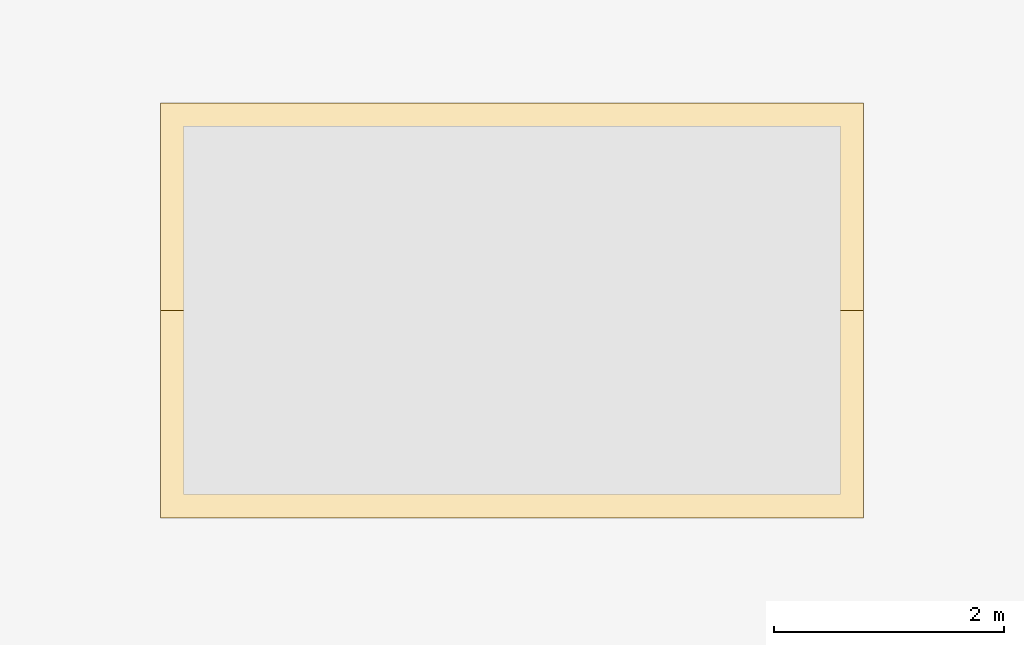
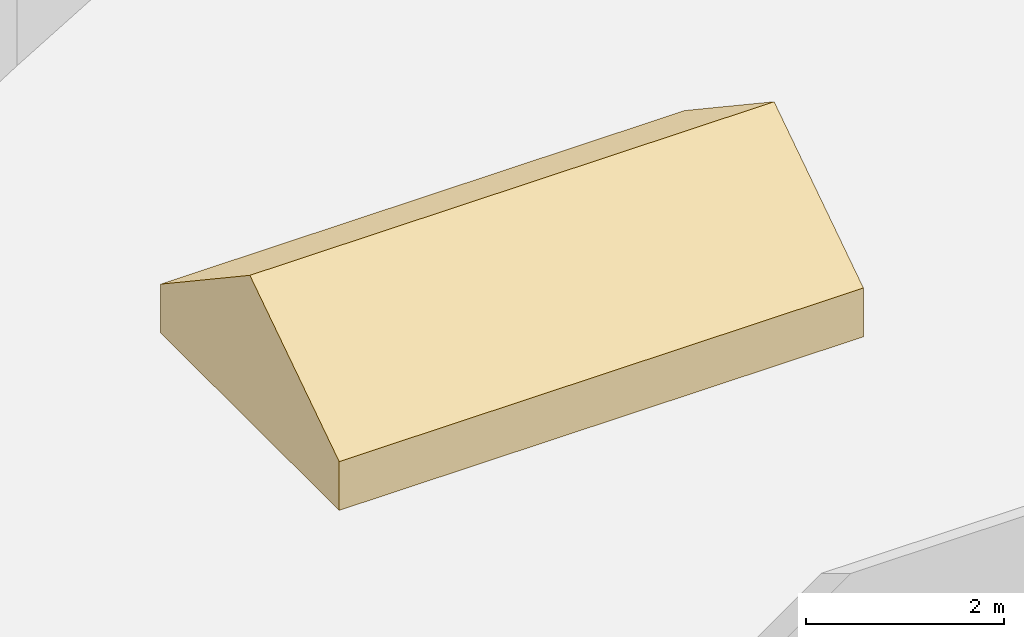
# One storey, part 2 of 2: 1 covering.
"""IFC4 building model written with IfcOpenShell, lengths in metres."""

from ifc_helpers import new_model, si_unit, direction, frame, origin, place, context, subcontext, project, spatial, polyline, outline, extrude, source, transform, mapped, material, type_object, element, save


model = new_model("IFC4")

# Units and contexts
model_context = context("Model", 3, precision=1e-05, world=origin(), true_north=direction((0.0, 1.0)))
body_context = subcontext(model_context, "Body", "Model", "MODEL_VIEW")
ifc_project = project(units=[si_unit("LENGTHUNIT", "METRE"), si_unit("AREAUNIT", "SQUARE_METRE"), si_unit("VOLUMEUNIT", "CUBIC_METRE"), si_unit("PLANEANGLEUNIT", "RADIAN"), si_unit("MASSUNIT", "GRAM", prefix="KILO")], contexts=[model_context])

# Site, building, storey
site_placement = place(None, origin())
site = spatial("IfcSite", under=ifc_project, at=site_placement, CompositionType="ELEMENT")
building_placement = place(site_placement, origin())
building = spatial("IfcBuilding", under=site, at=building_placement, Name="Tamra Quay Hotel Tower", CompositionType="ELEMENT")
storey_placement = place(building_placement, frame((0.0, 0.0, 349.39990234375)))
storey = spatial("IfcBuildingStorey", under=building, at=storey_placement, Name="Roof", CompositionType="ELEMENT", Elevation=349.39990234375)

# Covering
ifc_material = material(Name="Laminated glass ridge in aluminium frame", Category="aluminium")
covering_type = type_object("IfcCoveringType", Name="LANTERN RIDGE GLAZING 3600X6100", PredefinedType="ROOFING", material=ifc_material)
shared_shape = source(origin(), body_context, "Body", "SweptSolid", [
    extrude(outline(polyline([(-1.800048828125, 0.0), (1.800048828125, 0.0), (1.800048828125, 0.60009765625), (0.0, 1.800048828125), (-1.800048828125, 0.60009765625), (-1.800048828125, 0.0)])), frame((0.0, 0.0, 0.0), z_axis=(1.0, 0.0, 0.0), x_axis=(0.0, 1.0, 0.0)), (0.0, 0.0, 1.0), 6.10009765625),
])
covering_placement = place(storey_placement, frame((1.073974609375, 12.697998046875, 0.0), z_axis=(0.0, 0.0, 1.0), x_axis=(1.0, 0.0, 0.0)))
element("IfcCovering", 1, at=covering_placement, inside=storey, type_object=covering_type, Name="Lantern A glazed ridge", PredefinedType="ROOFING", context=body_context, shape_type="MappedRepresentation", body=[
    mapped(shared_shape, transform((0.0, 0.0, 0.0), scale=1.0)),
])

save(model, "model.ifc")
